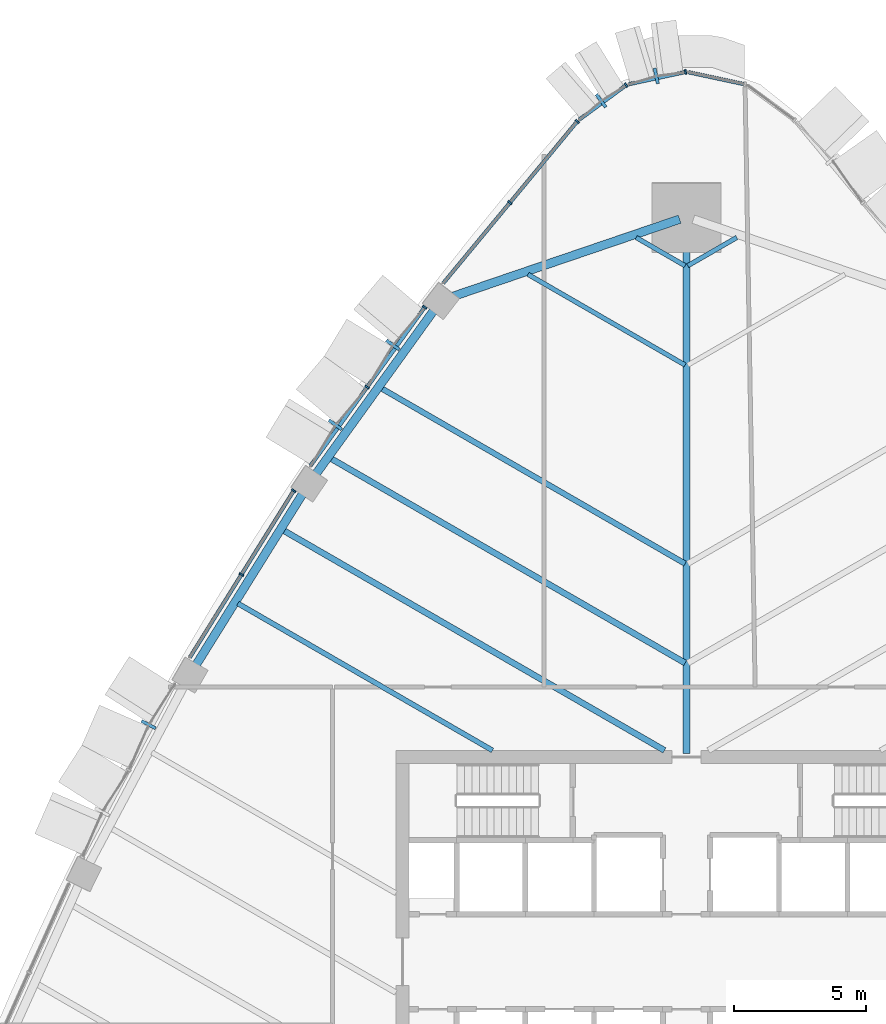
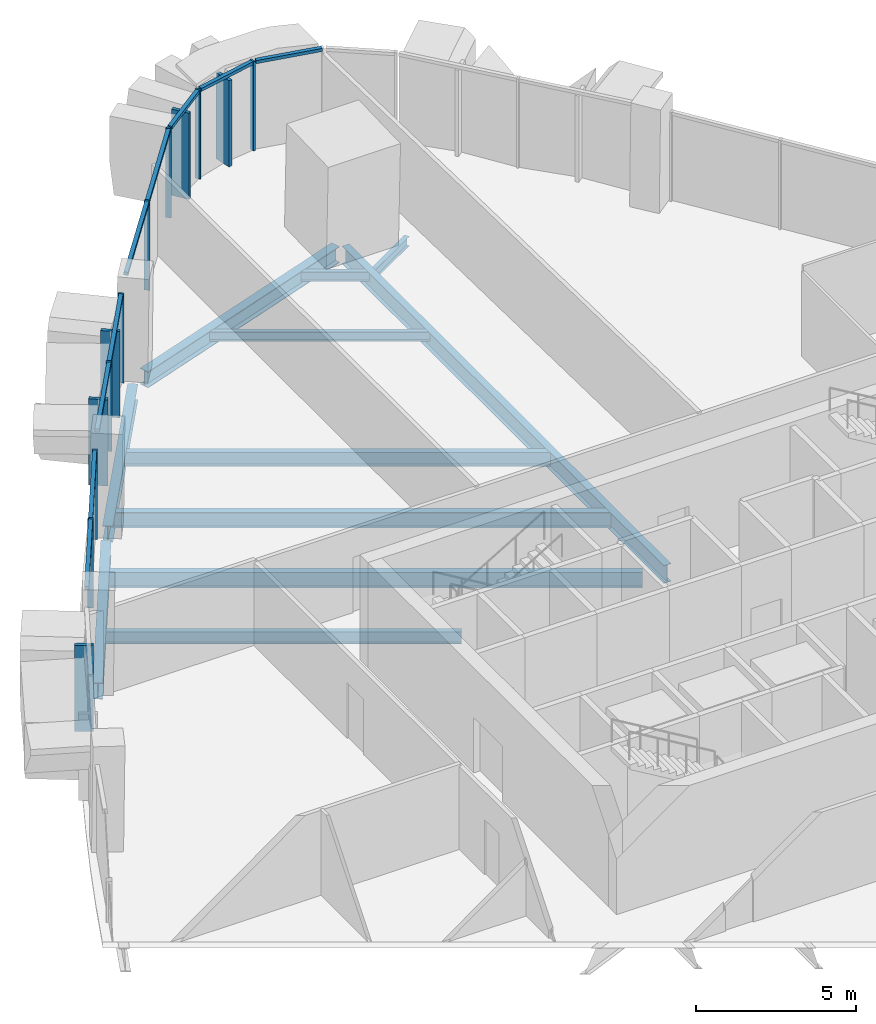
# One storey, part 6 of 17: 22 members, 11 beams, 7 elements without a shape of their own.
"""IFC4 building model written with IfcOpenShell, lengths in metres."""

from ifc_helpers import new_model, si_unit, direction, frame, origin, origin_2d, place, context, subcontext, project, spatial, rectangle, i_section, extrude, material, layer, layer_set, material_profile, profile_set, type_object, element, aggregate, save


model = new_model("IFC4")

# Units and contexts
model_context = context("Model", 3, precision=1e-05, world=origin(), true_north=direction((0.0, 1.0)))
body_context = subcontext(model_context, "Body", "Model", "MODEL_VIEW")
ifc_project = project(units=[si_unit("LENGTHUNIT", "METRE"), si_unit("AREAUNIT", "SQUARE_METRE"), si_unit("VOLUMEUNIT", "CUBIC_METRE"), si_unit("PLANEANGLEUNIT", "RADIAN"), si_unit("MASSUNIT", "GRAM", prefix="KILO")], contexts=[model_context])

# Site, building, storey
site_placement = place(None, origin())
site = spatial("IfcSite", under=ifc_project, at=site_placement, CompositionType="ELEMENT")
building_placement = place(site_placement, origin())
building = spatial("IfcBuilding", under=site, at=building_placement, Name="Sierra Prisma Convention Tower", CompositionType="ELEMENT")
storey_placement = place(building_placement, frame((0.0, 0.0, 149.800048828125)))
storey = spatial("IfcBuildingStorey", under=building, at=storey_placement, Name="L32", CompositionType="ELEMENT", Elevation=149.800048828125)

# Curtain wall, member
ifc_material_1 = material(Name="Aluminium and glass curtain wall", Category="aluminium")
ifc_layer_1 = layer(ifc_material_1, 0.179931640625)
ifc_layer_set_1 = layer_set([ifc_layer_1], Name="CW-2 Faceted crystal curtain wall")
curtain_wall_type_1 = type_object("IfcCurtainWallType", Name="CW-2 Faceted crystal curtain wall", PredefinedType="NOTDEFINED", material=ifc_layer_set_1)
curtain_wall_1_placement = place(storey_placement, origin())
curtain_wall_1 = element("IfcCurtainWall", 1, at=curtain_wall_1_placement, inside=storey, type_object=curtain_wall_type_1, Name="CW-2 N3 L32", PredefinedType="NOTDEFINED")
ifc_material_2 = material(Name="Aluminium 6063-T6 bronze anodised", Category="aluminium")
ifc_material_profile_1 = material_profile(ifc_material_2, rectangle(XDim=0.1201171875, YDim=0.60009765625, at=origin_2d()), Name="ALU RIDGE BLADE 120x600")
ifc_profile_set_1 = profile_set([ifc_material_profile_1], Name="Aluminium 6063-T6 bronze anodised")
member_type_1 = type_object("IfcMemberType", Name="CW hip bronze", PredefinedType="MULLION", material=ifc_profile_set_1)
member_1_placement = place(storey_placement, frame((-1.144775390625, 33.532958984375, 0.0), z_axis=(0.0, 0.0, 1.0), x_axis=(-0.977734876009, -0.209844018823, 0.0)))
member_1 = element("IfcMember", 2, at=member_1_placement, type_object=member_type_1, Name="CW-2 ridge N3.1", PredefinedType="MULLION", context=body_context, shape_type="SweptSolid", body=[
    extrude(rectangle(XDim=0.1201171875, YDim=0.60009765625, at=origin_2d()), origin(), (0.0, 0.0, 1.0), 3.280029296875),
])

curtain_wall_2_placement = place(storey_placement, origin())
curtain_wall_2 = element("IfcCurtainWall", 3, at=curtain_wall_2_placement, inside=storey, type_object=curtain_wall_type_1, Name="CW-2 N4 L32", PredefinedType="NOTDEFINED")
member_2_placement = place(storey_placement, frame((-3.23291015625, 32.593505859375, 0.0), z_axis=(0.0, 0.0, 1.0), x_axis=(-0.805518562555, -0.592570540425, 0.0)))
member_2 = element("IfcMember", 4, at=member_2_placement, type_object=member_type_1, Name="CW-2 ridge N4.1", PredefinedType="MULLION", context=body_context, shape_type="SweptSolid", body=[
    extrude(rectangle(XDim=0.1201171875, YDim=0.60009765625, at=origin_2d()), origin(), (0.0, 0.0, 1.0), 3.280029296875),
])

# Curtain wall, members
curtain_wall_3_placement = place(storey_placement, origin())
curtain_wall_3 = element("IfcCurtainWall", 5, at=curtain_wall_3_placement, inside=storey, type_object=curtain_wall_type_1, Name="CW-2 NW2 L32", PredefinedType="NOTDEFINED")
member_3_placement = place(storey_placement, frame((-11.115966796875, 23.348876953125, 0.0), z_axis=(0.0, 0.0, 1.0), x_axis=(-0.584583575566, -0.811333496891, 0.0)))
member_3 = element("IfcMember", 6, at=member_3_placement, type_object=member_type_1, Name="CW-2 ridge NW2.1", PredefinedType="MULLION", context=body_context, shape_type="SweptSolid", body=[
    extrude(rectangle(XDim=0.1201171875, YDim=0.60009765625, at=origin_2d()), origin(), (0.0, 0.0, 1.0), 3.280029296875),
])
member_4_placement = place(storey_placement, frame((-13.29296875, 20.327392578125, 0.0), z_axis=(0.0, 0.0, 1.0), x_axis=(-0.584583575566, -0.811333496891, 0.0)))
member_4 = element("IfcMember", 7, at=member_4_placement, type_object=member_type_1, Name="CW-2 ridge NW2.2", PredefinedType="MULLION", context=body_context, shape_type="SweptSolid", body=[
    extrude(rectangle(XDim=0.1201171875, YDim=0.60009765625, at=origin_2d()), origin(), (0.0, 0.0, 1.0), 3.280029296875),
])

# Curtain wall, member
curtain_wall_4_placement = place(storey_placement, origin())
curtain_wall_4 = element("IfcCurtainWall", 8, at=curtain_wall_4_placement, inside=storey, type_object=curtain_wall_type_1, Name="CW-2 NW4 L32", PredefinedType="NOTDEFINED")
member_5_placement = place(storey_placement, frame((-20.365234375, 8.9765625, 0.0), z_axis=(0.0, 0.0, 1.0), x_axis=(-0.470634240571, -0.882328403488, 0.0)))
member_5 = element("IfcMember", 9, at=member_5_placement, type_object=member_type_1, Name="CW-2 ridge NW4.1", PredefinedType="MULLION", context=body_context, shape_type="SweptSolid", body=[
    extrude(rectangle(XDim=0.1201171875, YDim=0.60009765625, at=origin_2d()), origin(), (0.0, 0.0, 1.0), 3.280029296875),
])
aggregate(curtain_wall_4, [member_5])

# Member
ifc_material_3 = material(Name="Aluminium 6063-T6 bronze anodised", Category="aluminium")
ifc_material_profile_2 = material_profile(ifc_material_3, rectangle(XDim=0.179931640625, YDim=0.070068359375, at=origin_2d()), Name="ALU MULLION 70x180")
ifc_profile_set_2 = profile_set([ifc_material_profile_2], Name="Aluminium 6063-T6 bronze anodised")
member_type_2 = type_object("IfcMemberType", Name="CW mullion bronze", PredefinedType="MULLION", material=ifc_profile_set_2)
member_6_placement = place(storey_placement, frame((-0.0341796875, 33.684326171875, 0.0), z_axis=(0.0, 0.0, 1.0), x_axis=(0.209844018823, -0.977734876009, 0.0)))
member_6 = element("IfcMember", 10, at=member_6_placement, type_object=member_type_2, Name="CW-1 mullion N3.1", PredefinedType="MULLION", context=body_context, shape_type="SweptSolid", body=[
    extrude(rectangle(XDim=0.179931640625, YDim=0.070068359375, at=origin_2d()), origin(), (0.0, 0.0, 1.0), 3.39990234375),
])

member_7_placement = place(storey_placement, frame((-2.2822265625, 33.18701171875, 0.0), z_axis=(0.0, 0.0, 1.0), x_axis=(0.592570540425, -0.805518562555, 0.0)))
member_7 = element("IfcMember", 11, at=member_7_placement, type_object=member_type_2, Name="CW-1 mullion N4.1", PredefinedType="MULLION", context=body_context, shape_type="SweptSolid", body=[
    extrude(rectangle(XDim=0.179931640625, YDim=0.070068359375, at=origin_2d()), origin(), (0.0, 0.0, 1.0), 3.39990234375),
])

# Curtain wall, members
ifc_material_4 = material(Name="Aluminium and glass curtain wall", Category="aluminium")
ifc_layer_2 = layer(ifc_material_4, 0.179931640625)
ifc_layer_set_2 = layer_set([ifc_layer_2], Name="CW-1 Plain shaft curtain wall")
curtain_wall_type_2 = type_object("IfcCurtainWallType", Name="CW-1 Plain shaft curtain wall", PredefinedType="NOTDEFINED", material=ifc_layer_set_2)
curtain_wall_5_placement = place(storey_placement, origin())
curtain_wall_5 = element("IfcCurtainWall", 12, at=curtain_wall_5_placement, inside=storey, type_object=curtain_wall_type_2, Name="CW-1 NW1 L32", PredefinedType="NOTDEFINED")
member_8_placement = place(storey_placement, frame((-4.13330078125, 31.81494140625, 0.0), z_axis=(0.0, 0.0, 1.0), x_axis=(0.770261439497, -0.637728245277, 0.0)))
member_8 = element("IfcMember", 13, at=member_8_placement, type_object=member_type_2, Name="CW-1 mullion NW1.1", PredefinedType="MULLION", context=body_context, shape_type="SweptSolid", body=[
    extrude(rectangle(XDim=0.179931640625, YDim=0.070068359375, at=origin_2d()), origin(), (0.0, 0.0, 1.0), 3.39990234375),
])
member_9_placement = place(storey_placement, frame((-6.681884765625, 28.736572265625, 0.0), z_axis=(0.0, 0.0, 1.0), x_axis=(0.770261439497, -0.637728245277, 0.0)))
member_9 = element("IfcMember", 14, at=member_9_placement, type_object=member_type_2, Name="CW-1 mullion NW1.2", PredefinedType="MULLION", context=body_context, shape_type="SweptSolid", body=[
    extrude(rectangle(XDim=0.179931640625, YDim=0.070068359375, at=origin_2d()), origin(), (0.0, 0.0, 1.0), 3.39990234375),
])

# Member
member_10_placement = place(storey_placement, frame((-9.91064453125, 24.775634765625, 0.0), z_axis=(0.0, 0.0, 1.0), x_axis=(0.811333496891, -0.584583575566, 0.0)))
member_10 = element("IfcMember", 15, at=member_10_placement, type_object=member_type_2, Name="CW-1 mullion NW2.1", PredefinedType="MULLION", context=body_context, shape_type="SweptSolid", body=[
    extrude(rectangle(XDim=0.179931640625, YDim=0.070068359375, at=origin_2d()), origin(), (0.0, 0.0, 1.0), 3.39990234375),
])

member_11_placement = place(storey_placement, frame((-12.087890625, 21.754150390625, 0.0), z_axis=(0.0, 0.0, 1.0), x_axis=(0.811333496891, -0.584583575566, 0.0)))
member_11 = element("IfcMember", 16, at=member_11_placement, type_object=member_type_2, Name="CW-1 mullion NW2.2", PredefinedType="MULLION", context=body_context, shape_type="SweptSolid", body=[
    extrude(rectangle(XDim=0.179931640625, YDim=0.070068359375, at=origin_2d()), origin(), (0.0, 0.0, 1.0), 3.39990234375),
])

# Curtain wall, members
curtain_wall_6_placement = place(storey_placement, origin())
curtain_wall_6 = element("IfcCurtainWall", 17, at=curtain_wall_6_placement, inside=storey, type_object=curtain_wall_type_2, Name="CW-1 NW3 L32", PredefinedType="NOTDEFINED")
member_12_placement = place(storey_placement, frame((-14.8671875, 17.833740234375, 0.0), z_axis=(0.0, 0.0, 1.0), x_axis=(0.848745409969, -0.528801691616, 0.0)))
member_12 = element("IfcMember", 18, at=member_12_placement, type_object=member_type_2, Name="CW-1 mullion NW3.1", PredefinedType="MULLION", context=body_context, shape_type="SweptSolid", body=[
    extrude(rectangle(XDim=0.179931640625, YDim=0.070068359375, at=origin_2d()), origin(), (0.0, 0.0, 1.0), 3.39990234375),
])
member_13_placement = place(storey_placement, frame((-16.844970703125, 14.6591796875, 0.0), z_axis=(0.0, 0.0, 1.0), x_axis=(0.848745409969, -0.528801691616, 0.0)))
member_13 = element("IfcMember", 19, at=member_13_placement, type_object=member_type_2, Name="CW-1 mullion NW3.2", PredefinedType="MULLION", context=body_context, shape_type="SweptSolid", body=[
    extrude(rectangle(XDim=0.179931640625, YDim=0.070068359375, at=origin_2d()), origin(), (0.0, 0.0, 1.0), 3.39990234375),
])

# Curtain wall, member
curtain_wall_7_placement = place(storey_placement, origin())
curtain_wall_7 = element("IfcCurtainWall", 20, at=curtain_wall_7_placement, inside=storey, type_object=curtain_wall_type_2, Name="CW-1 N2 L32", PredefinedType="NOTDEFINED")
ifc_material_5 = material(Name="Aluminium 6063-T6 bronze anodised", Category="aluminium")
ifc_material_profile_3 = material_profile(ifc_material_5, rectangle(XDim=0.139892578125, YDim=0.1201171875, at=origin_2d()), Name="ALU TRANSOM 120x140")
ifc_profile_set_3 = profile_set([ifc_material_profile_3], Name="Aluminium 6063-T6 bronze anodised")
member_type_3 = type_object("IfcMemberType", Name="CW transom bronze", PredefinedType="USERDEFINED", material=ifc_profile_set_3)
member_14_placement = place(storey_placement, frame((2.185546875, 33.22265625, 3.33984375), z_axis=(-0.977739672117, 0.209821670873, 0.0), x_axis=(-0.209821670873, -0.977739672117, 0.0)))
member_14 = element("IfcMember", 21, at=member_14_placement, type_object=member_type_3, Name="CW-1 transom N2.1", ObjectType="TRANSOM", PredefinedType="USERDEFINED", context=body_context, shape_type="SweptSolid", body=[
    extrude(rectangle(XDim=0.139892578125, YDim=0.1201171875, at=origin_2d()), origin(), (0.0, 0.0, 1.0), 2.165283203125),
])
aggregate(curtain_wall_7, [member_14])

# Member
member_15_placement = place(storey_placement, frame((-0.068359375, 33.677001953125, 3.33984375), z_axis=(-0.977739672117, -0.209821670873, 0.0), x_axis=(0.209821670873, -0.977739672117, 0.0)))
member_15 = element("IfcMember", 22, at=member_15_placement, type_object=member_type_3, Name="CW-1 transom N3.1", ObjectType="TRANSOM", PredefinedType="USERDEFINED", context=body_context, shape_type="SweptSolid", body=[
    extrude(rectangle(XDim=0.139892578125, YDim=0.1201171875, at=origin_2d()), origin(), (0.0, 0.0, 1.0), 2.165283203125),
])

aggregate(curtain_wall_1, [member_6, member_15, member_1])

member_16_placement = place(storey_placement, frame((-2.310302734375, 33.166259765625, 3.33984375), z_axis=(-0.805540203624, -0.592541121227, 0.0), x_axis=(0.592541121227, -0.805540203624, 0.0)))
member_16 = element("IfcMember", 23, at=member_16_placement, type_object=member_type_3, Name="CW-1 transom N4.1", ObjectType="TRANSOM", PredefinedType="USERDEFINED", context=body_context, shape_type="SweptSolid", body=[
    extrude(rectangle(XDim=0.139892578125, YDim=0.1201171875, at=origin_2d()), origin(), (0.0, 0.0, 1.0), 2.165283203125),
])

aggregate(curtain_wall_2, [member_7, member_16, member_2])

member_17_placement = place(storey_placement, frame((-4.155517578125, 31.787841796875, 3.33984375), z_axis=(-0.637747118626, -0.770245813156, 0.0), x_axis=(0.770245813156, -0.637747118626, 0.0)))
member_17 = element("IfcMember", 24, at=member_17_placement, type_object=member_type_3, Name="CW-1 transom NW1.1", ObjectType="TRANSOM", PredefinedType="USERDEFINED", context=body_context, shape_type="SweptSolid", body=[
    extrude(rectangle(XDim=0.139892578125, YDim=0.1201171875, at=origin_2d()), origin(), (0.0, 0.0, 1.0), 3.926513671875),
])

member_18_placement = place(storey_placement, frame((-6.704345703125, 28.70947265625, 3.33984375), z_axis=(-0.637710228285, -0.770276356083, 0.0), x_axis=(0.770276356083, -0.637710228285, 0.0)))
member_18 = element("IfcMember", 25, at=member_18_placement, type_object=member_type_3, Name="CW-1 transom NW1.2", ObjectType="TRANSOM", PredefinedType="USERDEFINED", context=body_context, shape_type="SweptSolid", body=[
    extrude(rectangle(XDim=0.139892578125, YDim=0.1201171875, at=origin_2d()), origin(), (0.0, 0.0, 1.0), 3.926513671875),
])

aggregate(curtain_wall_5, [member_8, member_9, member_17, member_18])

member_19_placement = place(storey_placement, frame((-9.93115234375, 24.747314453125, 3.33984375), z_axis=(-0.584582770957, -0.811334076629, 0.0), x_axis=(0.811334076629, -0.584582770957, 0.0)))
member_19 = element("IfcMember", 26, at=member_19_placement, type_object=member_type_3, Name="CW-1 transom NW2.1", ObjectType="TRANSOM", PredefinedType="USERDEFINED", context=body_context, shape_type="SweptSolid", body=[
    extrude(rectangle(XDim=0.139892578125, YDim=0.1201171875, at=origin_2d()), origin(), (0.0, 0.0, 1.0), 3.654296875),
])

member_20_placement = place(storey_placement, frame((-12.108154296875, 21.725830078125, 3.33984375), z_axis=(-0.584582770957, -0.811334076629, 0.0), x_axis=(0.811334076629, -0.584582770957, 0.0)))
member_20 = element("IfcMember", 27, at=member_20_placement, type_object=member_type_3, Name="CW-1 transom NW2.2", ObjectType="TRANSOM", PredefinedType="USERDEFINED", context=body_context, shape_type="SweptSolid", body=[
    extrude(rectangle(XDim=0.139892578125, YDim=0.1201171875, at=origin_2d()), origin(), (0.0, 0.0, 1.0), 3.654296875),
])

aggregate(curtain_wall_3, [member_10, member_11, member_19, member_3, member_20, member_4])

member_21_placement = place(storey_placement, frame((-14.8857421875, 17.80419921875, 3.33984375), z_axis=(-0.528754700299, -0.848774685598, 0.0), x_axis=(0.848774685598, -0.528754700299, 0.0)))
member_21 = element("IfcMember", 28, at=member_21_placement, type_object=member_type_3, Name="CW-1 transom NW3.1", ObjectType="TRANSOM", PredefinedType="USERDEFINED", context=body_context, shape_type="SweptSolid", body=[
    extrude(rectangle(XDim=0.139892578125, YDim=0.1201171875, at=origin_2d()), origin(), (0.0, 0.0, 1.0), 3.670166015625),
])

member_22_placement = place(storey_placement, frame((-16.863525390625, 14.629638671875, 3.33984375), z_axis=(-0.528802618849, -0.848744832266, 0.0), x_axis=(0.848744832266, -0.528802618849, 0.0)))
member_22 = element("IfcMember", 29, at=member_22_placement, type_object=member_type_3, Name="CW-1 transom NW3.2", ObjectType="TRANSOM", PredefinedType="USERDEFINED", context=body_context, shape_type="SweptSolid", body=[
    extrude(rectangle(XDim=0.139892578125, YDim=0.1201171875, at=origin_2d()), origin(), (0.0, 0.0, 1.0), 3.67041015625),
])

aggregate(curtain_wall_6, [member_12, member_13, member_21, member_22])

# Beams
ifc_material_6 = material(Name="Steel ASTM A992 Gr 50", Category="steel")
ifc_material_profile_4 = material_profile(ifc_material_6, i_section(OverallWidth=0.172119140625, OverallDepth=0.35791015625, WebThickness=0.0078125, FlangeThickness=0.01318359375, at=origin_2d()), Name="W360x57")
ifc_profile_set_4 = profile_set([ifc_material_profile_4], Name="Steel ASTM A992 Gr 50")
beam_type_1 = type_object("IfcBeamType", Name="Floor joist W360x57", PredefinedType="JOIST", material=ifc_profile_set_4)
for number, where, z_axis, x_axis, name in (
    (30, (1.904052734375, 27.418212890625, -0.3291015625), (-0.86600889856, -0.500028586798, 0.0), (0.500028586798, -0.86600889856, 0.0), "Floor joist L32 NE15"),
    (31, (-1.904052734375, 27.418212890625, -0.3291015625), (0.86600889856, -0.500028586798, 0.0), (0.500028586798, 0.86600889856, 0.0), "Floor joist L32 NW01"),
):
    element("IfcBeam", number, at=place(storey_placement, frame(where, z_axis=z_axis, x_axis=x_axis)), inside=storey, type_object=beam_type_1, Name=name, PredefinedType="JOIST", context=body_context, shape_type="SweptSolid", body=[
        extrude(i_section(OverallWidth=0.172119140625, OverallDepth=0.35791015625, WebThickness=0.0078125, FlangeThickness=0.01318359375, at=origin_2d()), origin(), (0.0, 0.0, 1.0), 2.139892578125),
    ])
beam_1_placement = place(storey_placement, frame((-5.99951171875, 26.022705078125, -0.3291015625), z_axis=(0.866036433311, -0.499980895813, 0.0), x_axis=(0.499980895813, 0.866036433311, 0.0)))
element("IfcBeam", 32, at=beam_1_placement, inside=storey, type_object=beam_type_1, Name="Floor joist L32 NW02", PredefinedType="JOIST", context=body_context, shape_type="SweptSolid", body=[
    extrude(i_section(OverallWidth=0.172119140625, OverallDepth=0.35791015625, WebThickness=0.0078125, FlangeThickness=0.01318359375, at=origin_2d()), origin(), (0.0, 0.0, 1.0), 6.868896484375),
])
ifc_material_7 = material(Name="Steel ASTM A992 Gr 50", Category="steel")
ifc_material_profile_5 = material_profile(ifc_material_7, i_section(OverallWidth=0.18994140625, OverallDepth=0.45703125, WebThickness=0.009033203125, FlangeThickness=0.014404296875, at=origin_2d()), Name="W460x74")
ifc_profile_set_5 = profile_set([ifc_material_profile_5], Name="Steel ASTM A992 Gr 50")
beam_type_2 = type_object("IfcBeamType", Name="Floor joist W460x74", PredefinedType="JOIST", material=ifc_profile_set_5)
beam_2_placement = place(storey_placement, frame((-16.982177734375, 13.564453125, -0.378662109375), z_axis=(0.866025941219, -0.499999069135, 0.0), x_axis=(0.499999069135, 0.866025941219, 0.0)))
element("IfcBeam", 33, at=beam_2_placement, inside=storey, type_object=beam_type_2, Name="Floor joist L32 NW07", PredefinedType="JOIST", context=body_context, shape_type="SweptSolid", body=[
    extrude(i_section(OverallWidth=0.18994140625, OverallDepth=0.45703125, WebThickness=0.009033203125, FlangeThickness=0.014404296875, at=origin_2d()), origin(), (0.0, 0.0, 1.0), 11.12890625),
])
ifc_material_8 = material(Name="Steel ASTM A992 Gr 50", Category="steel")
ifc_material_profile_6 = material_profile(ifc_material_8, i_section(OverallWidth=0.208984375, OverallDepth=0.532958984375, WebThickness=0.01025390625, FlangeThickness=0.015625, at=origin_2d()), Name="W530x92")
ifc_profile_set_6 = profile_set([ifc_material_profile_6], Name="Steel ASTM A992 Gr 50")
beam_type_3 = type_object("IfcBeamType", Name="Floor joist W530x92", PredefinedType="JOIST", material=ifc_profile_set_6)
beam_3_placement = place(storey_placement, frame((-11.55078125, 21.708251953125, -0.41650390625), z_axis=(0.866021479586, -0.50000679685, 0.0), x_axis=(0.50000679685, 0.866021479586, 0.0)))
element("IfcBeam", 34, at=beam_3_placement, inside=storey, type_object=beam_type_3, Name="Floor joist L32 NW04", PredefinedType="JOIST", context=body_context, shape_type="SweptSolid", body=[
    extrude(i_section(OverallWidth=0.208984375, OverallDepth=0.532958984375, WebThickness=0.01025390625, FlangeThickness=0.015625, at=origin_2d()), origin(), (0.0, 0.0, 1.0), 13.279052734375),
])
ifc_material_9 = material(Name="Steel ASTM A992 Gr 50", Category="steel")
ifc_material_profile_7 = material_profile(ifc_material_9, i_section(OverallWidth=0.22802734375, OverallDepth=0.60302734375, WebThickness=0.010498046875, FlangeThickness=0.014892578125, at=origin_2d()), Name="W610x101")
ifc_profile_set_7 = profile_set([ifc_material_profile_7], Name="Steel ASTM A992 Gr 50")
beam_type_4 = type_object("IfcBeamType", Name="Floor joist W610x101", PredefinedType="JOIST", material=ifc_profile_set_7)
beam_4_placement = place(storey_placement, frame((-13.4638671875, 19.052978515625, -0.45166015625), z_axis=(0.866022835906, -0.500004447669, 0.0), x_axis=(0.500004447669, 0.866022835906, 0.0)))
element("IfcBeam", 35, at=beam_4_placement, inside=storey, type_object=beam_type_4, Name="Floor joist L32 NW05", PredefinedType="JOIST", context=body_context, shape_type="SweptSolid", body=[
    extrude(i_section(OverallWidth=0.22802734375, OverallDepth=0.60302734375, WebThickness=0.010498046875, FlangeThickness=0.014892578125, at=origin_2d()), origin(), (0.0, 0.0, 1.0), 15.488037109375),
])
beam_5_placement = place(storey_placement, frame((-15.259521484375, 16.329833984375, -0.45166015625), z_axis=(0.866022320763, -0.500005339912, 0.0), x_axis=(0.500005339912, 0.866022320763, 0.0)))
element("IfcBeam", 36, at=beam_5_placement, inside=storey, type_object=beam_type_4, Name="Floor joist L32 NW06", PredefinedType="JOIST", context=body_context, shape_type="SweptSolid", body=[
    extrude(i_section(OverallWidth=0.22802734375, OverallDepth=0.60302734375, WebThickness=0.010498046875, FlangeThickness=0.014892578125, at=origin_2d()), origin(), (0.0, 0.0, 1.0), 16.659423828125),
])
ifc_material_10 = material(Name="Steel ASTM A992 Gr 50", Category="steel")
ifc_material_profile_8 = material_profile(ifc_material_10, i_section(OverallWidth=0.25390625, OverallDepth=0.68408203125, WebThickness=0.012451171875, FlangeThickness=0.018798828125, at=origin_2d()), Name="W690x140")
ifc_profile_set_8 = profile_set([ifc_material_profile_8], Name="Steel ASTM A992 Gr 50")
beam_type_5 = type_object("IfcBeamType", Name="Radial girder W690x140", PredefinedType="BEAM", material=ifc_profile_set_8)
beam_6_placement = place(storey_placement, frame((0.0, 27.938720703125, -0.491943359375), z_axis=(0.0, -1.0, 0.0), x_axis=(1.0, 0.0, 0.0)))
element("IfcBeam", 37, at=beam_6_placement, inside=storey, type_object=beam_type_5, Name="Radial girder L32 N", PredefinedType="BEAM", context=body_context, shape_type="SweptSolid", body=[
    extrude(i_section(OverallWidth=0.25390625, OverallDepth=0.68408203125, WebThickness=0.012451171875, FlangeThickness=0.018798828125, at=origin_2d()), origin(), (0.0, 0.0, 1.0), 20.058837890625),
])
ifc_material_11 = material(Name="Steel ASTM A992 Gr 50", Category="steel")
ifc_material_profile_9 = material_profile(ifc_material_11, i_section(OverallWidth=0.324951171875, OverallDepth=0.615966796875, WebThickness=0.013916015625, FlangeThickness=0.021484375, at=origin_2d()), Name="W610x174")
ifc_profile_set_9 = profile_set([ifc_material_profile_9], Name="Steel ASTM A992 Gr 50")
beam_type_6 = type_object("IfcBeamType", Name="Spandrel beam W610x174", PredefinedType="BEAM", material=ifc_profile_set_9)
beam_7_placement = place(storey_placement, frame((-0.260009765625, 28.110107421875, -0.4580078125), z_axis=(-0.946569990836, -0.322498453405, 0.0), x_axis=(0.322498453405, -0.946569990836, 0.0)))
element("IfcBeam", 38, at=beam_7_placement, inside=storey, type_object=beam_type_6, Name="Spandrel L32-13", PredefinedType="BEAM", context=body_context, shape_type="SweptSolid", body=[
    extrude(i_section(OverallWidth=0.324951171875, OverallDepth=0.615966796875, WebThickness=0.013916015625, FlangeThickness=0.021484375, at=origin_2d()), origin(), (0.0, 0.0, 1.0), 9.0654296875),
])
beam_8_placement = place(storey_placement, frame((-9.51708984375, 24.723388671875, -0.4580078125), z_axis=(-0.584599847398, -0.811321772432, 0.0), x_axis=(0.811321772432, -0.584599847398, 0.0)))
element("IfcBeam", 39, at=beam_8_placement, inside=storey, type_object=beam_type_6, Name="Spandrel L32-14", PredefinedType="BEAM", context=body_context, shape_type="SweptSolid", body=[
    extrude(i_section(OverallWidth=0.324951171875, OverallDepth=0.615966796875, WebThickness=0.013916015625, FlangeThickness=0.021484375, at=origin_2d()), origin(), (0.0, 0.0, 1.0), 7.779052734375),
])
beam_9_placement = place(storey_placement, frame((-14.488037109375, 17.78076171875, -0.4580078125), z_axis=(-0.528805081708, -0.8487432978, 0.0), x_axis=(0.8487432978, -0.528805081708, 0.0)))
element("IfcBeam", 40, at=beam_9_placement, inside=storey, type_object=beam_type_6, Name="Spandrel L32-15", PredefinedType="BEAM", context=body_context, shape_type="SweptSolid", body=[
    extrude(i_section(OverallWidth=0.324951171875, OverallDepth=0.615966796875, WebThickness=0.013916015625, FlangeThickness=0.021484375, at=origin_2d()), origin(), (0.0, 0.0, 1.0), 7.77880859375),
])

save(model, "model.ifc")
